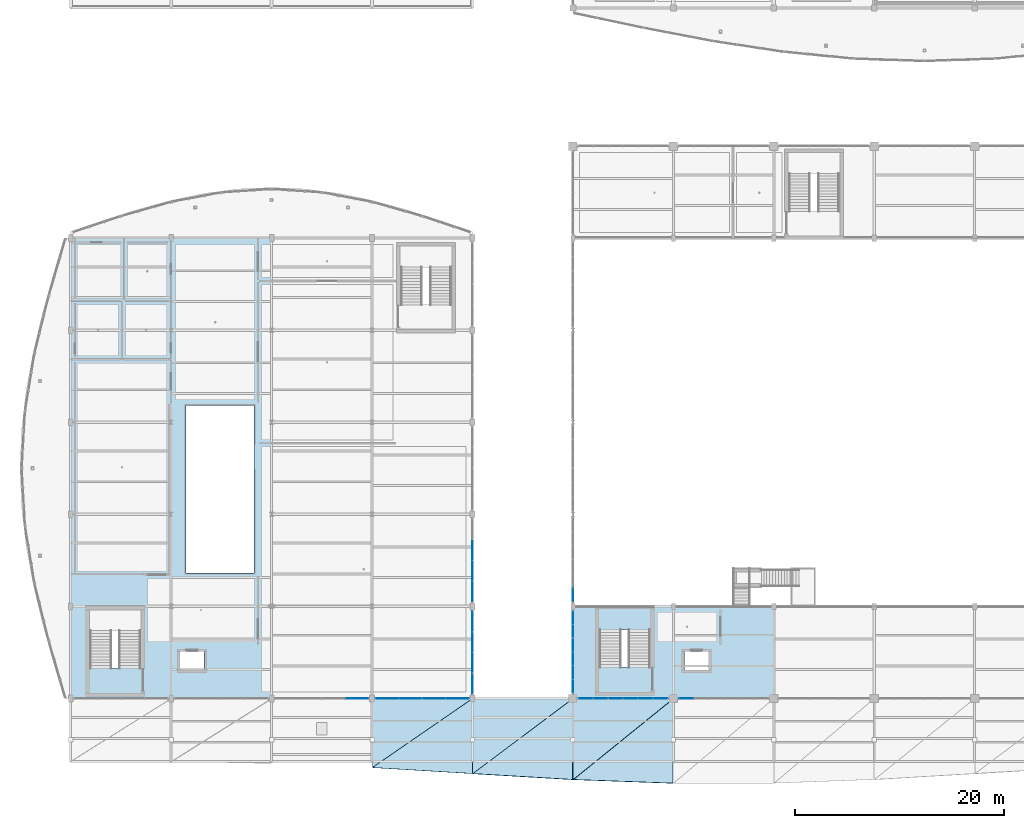
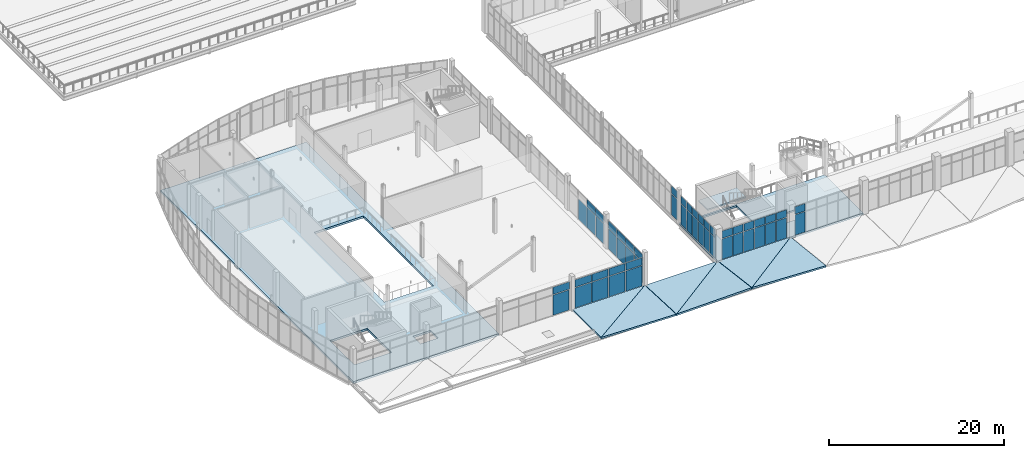
# One storey, part 115 of 157: 51 plates, 9 slabs, 9 elements without a shape of their own.
"""IFC4 building model written with IfcOpenShell, lengths in metres."""

from ifc_helpers import new_model, si_unit, direction, frame, origin, origin_2d, place, context, subcontext, project, spatial, polyline, rectangle, outline, extrude, material, layer, layer_set, type_object, element, aggregate, save


model = new_model("IFC4")

# Units and contexts
model_context = context("Model", 3, precision=1e-05, world=origin(), true_north=direction((0.0, 1.0)))
body_context = subcontext(model_context, "Body", "Model", "MODEL_VIEW")
ifc_project = project(units=[si_unit("LENGTHUNIT", "METRE"), si_unit("AREAUNIT", "SQUARE_METRE"), si_unit("VOLUMEUNIT", "CUBIC_METRE"), si_unit("PLANEANGLEUNIT", "RADIAN"), si_unit("MASSUNIT", "GRAM", prefix="KILO")], contexts=[model_context])

# Site, building, storey
site_placement = place(None, origin())
site = spatial("IfcSite", under=ifc_project, at=site_placement, CompositionType="ELEMENT")
building_placement = place(site_placement, origin())
building = spatial("IfcBuilding", under=site, at=building_placement, Name="Chalmorin Arch Market", CompositionType="ELEMENT")
storey_placement = place(building_placement, frame((0.0, 0.0, 4.800048828125)))
storey = spatial("IfcBuildingStorey", under=building, at=storey_placement, Name="L01", CompositionType="ELEMENT", Elevation=4.800048828125)

# Slabs
ifc_material_1 = material(Name="Concrete C40/50", Category="concrete")
ifc_layer_1 = layer(ifc_material_1, 0.219970703125)
ifc_layer_set_1 = layer_set([ifc_layer_1], Name="Concrete C40/50")
slab_type_1 = type_object("IfcSlabType", Name="ColonnadeCanopySlab-220", PredefinedType="ROOF", material=ifc_layer_set_1)
slab_1_placement = place(storey_placement, frame((28.820068359375, -0.60888671875, 0.113037109375), z_axis=(-0.022822942255, 0.044179192761, 0.998762890897), x_axis=(0.99787127155, -0.060039960052, 0.025458370158)))
element("IfcSlab", 1, at=slab_1_placement, inside=storey, type_object=slab_type_1, Name="RS-220-065", PredefinedType="ROOF", context=body_context, shape_type="SweptSolid", body=[
    extrude(outline(polyline([(0.0, 0.0), (9.580208114690938, -5.377642775528102e-17), (9.142010470100209, 7.157666971305492), (0.0, 0.0)])), origin(), (0.0, 0.0, -1.0), 0.219970703125),
])
slab_2_placement = place(storey_placement, frame((28.820068359375, -0.60888671875, 0.113037109375), z_axis=(0.0, 0.011078318194, 0.99993863355), x_axis=(0.823361851851, 0.567481922971, -0.006287131131)))
element("IfcSlab", 2, at=slab_2_placement, inside=storey, type_object=slab_type_1, Name="RS-220-066", PredefinedType="ROOF", context=body_context, shape_type="SweptSolid", body=[
    extrude(outline(polyline([(0.0, 0.0), (11.610708501531652, -5.431852884152377e-16), (3.739521970053256, 5.42535482386643), (0.0, 0.0)])), origin(), (0.0, 0.0, -1.0), 0.219970703125),
])
slab_3_placement = place(storey_placement, frame((38.419921875, -1.18603515625, 0.35986328125), z_axis=(-0.06160753321, 0.126376942931, 0.990067361419), x_axis=(0.995846148856, -0.05884845979, 0.069478821152)))
element("IfcSlab", 3, at=slab_3_placement, inside=storey, type_object=slab_type_1, Name="RS-220-067", PredefinedType="ROOF", context=body_context, shape_type="SweptSolid", body=[
    extrude(outline(polyline([(0.0, 0.0), (9.599935295959812, 8.326672684688674e-17), (9.076417541368969, 7.7760807865727655), (0.0, 0.0)])), origin(), (0.0, 0.0, -1.0), 0.219970703125),
])
slab_4_placement = place(storey_placement, frame((38.419921875, -1.18603515625, 0.35986328125), z_axis=(0.0, 0.044586305955, 0.999005536181), x_axis=(0.799875278569, 0.599569415613, -0.026759196459)))
element("IfcSlab", 4, at=slab_4_placement, inside=storey, type_object=slab_type_1, Name="RS-220-068", PredefinedType="ROOF", context=body_context, shape_type="SweptSolid", body=[
    extrude(outline(polyline([(0.0, 0.0), (11.9519365704716, 2.1337098754514727e-16), (4.305082039655847, 5.737624604352906), (0.0, 0.0)])), origin(), (0.0, 0.0, -1.0), 0.219970703125),
])
slab_5_placement = place(storey_placement, frame((48.02001953125, -1.7529296875, 1.029052734375), z_axis=(0.012696012514, 0.111394476768, 0.993695165436), x_axis=(0.999296239927, -0.036493018619, -0.00867666177)))
element("IfcSlab", 5, at=slab_5_placement, inside=storey, type_object=slab_type_1, Name="RS-220-069", PredefinedType="ROOF", context=body_context, shape_type="SweptSolid", body=[
    extrude(outline(polyline([(0.0, 0.0), (9.566791319505747, 5.898059818321144e-17), (9.279714709020562, 8.127586527556057), (0.0, 0.0)])), origin(), (0.0, 0.0, -1.0), 0.219970703125),
])
slab_6_placement = place(storey_placement, frame((48.02001953125, -1.7529296875, 1.029052734375), z_axis=(0.0, 0.126863318847, 0.991920207643), x_axis=(0.774987928916, 0.62686980082, -0.080174577354)))
element("IfcSlab", 6, at=slab_6_placement, inside=storey, type_object=slab_type_1, Name="RS-220-070", PredefinedType="ROOF", context=body_context, shape_type="SweptSolid", body=[
    extrude(outline(polyline([(0.0, 0.0), (12.33575161243624, -4.163336342344337e-17), (4.926821602545801, 6.041727933669149), (0.0, 0.0)])), origin(), (0.0, 0.0, -1.0), 0.219970703125),
])
ifc_layer_2 = layer(ifc_material_1, 0.25)
ifc_layer_set_2 = layer_set([ifc_layer_2], Name="Concrete C40/50")
slab_type_2 = type_object("IfcSlabType", Name="MezzanineDeckSlab-250", PredefinedType="FLOOR", material=ifc_layer_set_2)
slab_7_placement = place(storey_placement, frame((0.0, 0.0, -0.25)))
element("IfcSlab", 7, at=slab_7_placement, inside=storey, type_object=slab_type_2, Name="FS-250-085", PredefinedType="FLOOR", context=body_context, shape_type="SweptSolid", body=[
    extrude(outline(polyline([(48.010009765625, 6.010009765625), (67.18994140625, 6.010009765625), (67.18994140625, 14.800048828125), (48.010009765625, 14.800048828125), (48.010009765625, 6.010009765625)]), holes=[polyline([(50.5, 9.0), (55.39990234375, 9.0), (55.39990234375, 14.550048828125), (50.5, 14.550048828125), (50.5, 9.0)]), polyline([(58.64990234375, 8.72509765625), (60.949951171875, 8.72509765625), (60.949951171875, 10.47509765625), (58.64990234375, 10.47509765625), (58.64990234375, 8.72509765625)])]), origin(), (0.0, 0.0, 1.0), 0.25),
])

# Curtain wall, plates
ifc_material_2 = material(Name="Aluminium 6063-T6", Category="aluminium")
ifc_layer_3 = layer(ifc_material_2, 0.159912109375)
ifc_layer_set_3 = layer_set([ifc_layer_3], Name="Aluminium 6063-T6")
curtain_wall_type_1 = type_object("IfcCurtainWallType", Name="GableTympanumCurtainWall-CW4-7880x4100", PredefinedType="NOTDEFINED", material=ifc_layer_set_3)
curtain_wall_1_placement = place(storey_placement, origin())
curtain_wall_1 = element("IfcCurtainWall", 8, at=curtain_wall_1_placement, inside=storey, type_object=curtain_wall_type_1, Name="CW-04-026", PredefinedType="NOTDEFINED")
ifc_material_3 = material(Name="Powder-coated Aluminium Panel", Category="aluminium")
ifc_layer_4 = layer(ifc_material_3, 0.0400390625)
ifc_layer_set_4 = layer_set([ifc_layer_4], Name="Powder-coated Aluminium Panel")
plate_type_1 = type_object("IfcPlateType", Name="ShadowboxSpandrelPanel-40", PredefinedType="CURTAIN_PANEL", material=ifc_layer_set_4)
plate_1_placement = place(storey_placement, frame((48.0, 7.166748046875, 2.994140625), z_axis=(0.0, 0.0, 1.0), x_axis=(0.0, 1.0, 0.0)))
plate_1 = element("IfcPlate", 9, at=plate_1_placement, type_object=plate_type_1, Name="SP-40-026-01B", PredefinedType="CURTAIN_PANEL", context=body_context, shape_type="SweptSolid", body=[
    extrude(rectangle(XDim=1.2333984375, YDim=0.0400390625, at=origin_2d()), origin(), (0.0, 0.0, 1.0), 1.031982421875),
])
plate_2_placement = place(storey_placement, frame((48.0, 8.47998046875, 2.994140625), z_axis=(0.0, 0.0, 1.0), x_axis=(0.0, 1.0, 0.0)))
plate_2 = element("IfcPlate", 10, at=plate_2_placement, type_object=plate_type_1, Name="SP-40-026-02B", PredefinedType="CURTAIN_PANEL", context=body_context, shape_type="SweptSolid", body=[
    extrude(rectangle(XDim=1.2333984375, YDim=0.0400390625, at=origin_2d()), origin(), (0.0, 0.0, 1.0), 1.031982421875),
])
plate_3_placement = place(storey_placement, frame((48.0, 9.793212890625, 2.994140625), z_axis=(0.0, 0.0, 1.0), x_axis=(0.0, 1.0, 0.0)))
plate_3 = element("IfcPlate", 11, at=plate_3_placement, type_object=plate_type_1, Name="SP-40-026-03B", PredefinedType="CURTAIN_PANEL", context=body_context, shape_type="SweptSolid", body=[
    extrude(rectangle(XDim=1.2333984375, YDim=0.0400390625, at=origin_2d()), origin(), (0.0, 0.0, 1.0), 1.031982421875),
])
plate_4_placement = place(storey_placement, frame((48.0, 11.106689453125, 2.994140625), z_axis=(0.0, 0.0, 1.0), x_axis=(0.0, 1.0, 0.0)))
plate_4 = element("IfcPlate", 12, at=plate_4_placement, type_object=plate_type_1, Name="SP-40-026-04B", PredefinedType="CURTAIN_PANEL", context=body_context, shape_type="SweptSolid", body=[
    extrude(rectangle(XDim=1.2333984375, YDim=0.0400390625, at=origin_2d()), origin(), (0.0, 0.0, 1.0), 1.031982421875),
])
plate_5_placement = place(storey_placement, frame((48.0, 12.419921875, 2.994140625), z_axis=(0.0, 0.0, 1.0), x_axis=(0.0, 1.0, 0.0)))
plate_5 = element("IfcPlate", 13, at=plate_5_placement, type_object=plate_type_1, Name="SP-40-026-05B", PredefinedType="CURTAIN_PANEL", context=body_context, shape_type="SweptSolid", body=[
    extrude(rectangle(XDim=1.2333984375, YDim=0.0400390625, at=origin_2d()), origin(), (0.0, 0.0, 1.0), 1.031982421875),
])
plate_6_placement = place(storey_placement, frame((48.0, 13.7333984375, 2.994140625), z_axis=(0.0, 0.0, 1.0), x_axis=(0.0, 1.0, 0.0)))
plate_6 = element("IfcPlate", 14, at=plate_6_placement, type_object=plate_type_1, Name="SP-40-026-06B", PredefinedType="CURTAIN_PANEL", context=body_context, shape_type="SweptSolid", body=[
    extrude(rectangle(XDim=1.2333984375, YDim=0.0400390625, at=origin_2d()), origin(), (0.0, 0.0, 1.0), 1.031982421875),
])

# Curtain wall, plate
ifc_layer_5 = layer(ifc_material_2, 0.159912109375)
ifc_layer_set_5 = layer_set([ifc_layer_5], Name="Aluminium 6063-T6")
curtain_wall_type_2 = type_object("IfcCurtainWallType", Name="GableTympanumCurtainWall-CW4-8100x4200", PredefinedType="NOTDEFINED", material=ifc_layer_set_5)
curtain_wall_2_placement = place(storey_placement, origin())
curtain_wall_2 = element("IfcCurtainWall", 15, at=curtain_wall_2_placement, inside=storey, type_object=curtain_wall_type_2, Name="CW-04-028", PredefinedType="NOTDEFINED")
plate_7_placement = place(storey_placement, frame((48.0, 15.88525390625, 3.06884765625), z_axis=(0.0, 0.0, 1.0), x_axis=(0.0, 1.0, 0.0)))
plate_7 = element("IfcPlate", 16, at=plate_7_placement, type_object=plate_type_1, Name="SP-40-028-01B", PredefinedType="CURTAIN_PANEL", context=body_context, shape_type="SweptSolid", body=[
    extrude(rectangle(XDim=1.270263671875, YDim=0.0400390625, at=origin_2d()), origin(), (0.0, 0.0, 1.0), 1.06103515625),
])

ifc_layer_6 = layer(ifc_material_2, 0.159912109375)
ifc_layer_set_6 = layer_set([ifc_layer_6], Name="Aluminium 6063-T6")
curtain_wall_type_3 = type_object("IfcCurtainWallType", Name="RiverfrontStorefrontCurtainWall-CW2-8930x4070", PredefinedType="NOTDEFINED", material=ifc_layer_set_6)
curtain_wall_3_placement = place(storey_placement, origin())
curtain_wall_3 = element("IfcCurtainWall", 17, at=curtain_wall_3_placement, inside=storey, type_object=curtain_wall_type_3, Name="CW-02-096", PredefinedType="NOTDEFINED")
plate_8_placement = place(storey_placement, frame((27.3486328125, 6.0, 2.972412109375), z_axis=(0.0, 0.0, 1.0), x_axis=(1.0, 0.0, 0.0)))
plate_8 = element("IfcPlate", 18, at=plate_8_placement, type_object=plate_type_1, Name="SP-40-096-04B", PredefinedType="CURTAIN_PANEL", context=body_context, shape_type="SweptSolid", body=[
    extrude(rectangle(XDim=2.152587890625, YDim=0.0400390625, at=origin_2d()), origin(), (0.0, 0.0, 1.0), 1.0234375),
])

# Curtain wall, plates
curtain_wall_4_placement = place(storey_placement, origin())
curtain_wall_4 = element("IfcCurtainWall", 19, at=curtain_wall_4_placement, inside=storey, type_object=curtain_wall_type_3, Name="CW-02-097", PredefinedType="NOTDEFINED")
plate_9_placement = place(storey_placement, frame((30.251220703125, 6.0, 2.972412109375), z_axis=(0.0, 0.0, 1.0), x_axis=(1.0, 0.0, 0.0)))
plate_9 = element("IfcPlate", 20, at=plate_9_placement, type_object=plate_type_1, Name="SP-40-097-01B", PredefinedType="CURTAIN_PANEL", context=body_context, shape_type="SweptSolid", body=[
    extrude(rectangle(XDim=2.152587890625, YDim=0.0400390625, at=origin_2d()), origin(), (0.0, 0.0, 1.0), 1.0234375),
])
plate_10_placement = place(storey_placement, frame((32.48388671875, 6.0, 2.972412109375), z_axis=(0.0, 0.0, 1.0), x_axis=(1.0, 0.0, 0.0)))
plate_10 = element("IfcPlate", 21, at=plate_10_placement, type_object=plate_type_1, Name="SP-40-097-02B", PredefinedType="CURTAIN_PANEL", context=body_context, shape_type="SweptSolid", body=[
    extrude(rectangle(XDim=2.152587890625, YDim=0.0400390625, at=origin_2d()), origin(), (0.0, 0.0, 1.0), 1.0234375),
])
plate_11_placement = place(storey_placement, frame((34.71630859375, 6.0, 2.972412109375), z_axis=(0.0, 0.0, 1.0), x_axis=(1.0, 0.0, 0.0)))
plate_11 = element("IfcPlate", 22, at=plate_11_placement, type_object=plate_type_1, Name="SP-40-097-03B", PredefinedType="CURTAIN_PANEL", context=body_context, shape_type="SweptSolid", body=[
    extrude(rectangle(XDim=2.152587890625, YDim=0.0400390625, at=origin_2d()), origin(), (0.0, 0.0, 1.0), 1.0234375),
])
plate_12_placement = place(storey_placement, frame((36.94873046875, 6.0, 2.972412109375), z_axis=(0.0, 0.0, 1.0), x_axis=(1.0, 0.0, 0.0)))
plate_12 = element("IfcPlate", 23, at=plate_12_placement, type_object=plate_type_1, Name="SP-40-097-04B", PredefinedType="CURTAIN_PANEL", context=body_context, shape_type="SweptSolid", body=[
    extrude(rectangle(XDim=2.152587890625, YDim=0.0400390625, at=origin_2d()), origin(), (0.0, 0.0, 1.0), 1.0234375),
])

ifc_layer_7 = layer(ifc_material_2, 0.159912109375)
ifc_layer_set_7 = layer_set([ifc_layer_7], Name="Aluminium 6063-T6")
curtain_wall_type_4 = type_object("IfcCurtainWallType", Name="RiverfrontStorefrontCurtainWall-CW2-7930x4070", PredefinedType="NOTDEFINED", material=ifc_layer_set_7)
curtain_wall_5_placement = place(storey_placement, origin())
curtain_wall_5 = element("IfcCurtainWall", 24, at=curtain_wall_5_placement, inside=storey, type_object=curtain_wall_type_4, Name="CW-02-098", PredefinedType="NOTDEFINED")
plate_13_placement = place(storey_placement, frame((38.39990234375, 7.42626953125, 2.972412109375), z_axis=(0.0, 0.0, 1.0), x_axis=(0.0, 1.0, 0.0)))
plate_13 = element("IfcPlate", 25, at=plate_13_placement, type_object=plate_type_1, Name="SP-40-098-01B", PredefinedType="CURTAIN_PANEL", context=body_context, shape_type="SweptSolid", body=[
    extrude(rectangle(XDim=1.902587890625, YDim=0.0400390625, at=origin_2d()), origin(), (0.0, 0.0, 1.0), 1.0234375),
])
plate_14_placement = place(storey_placement, frame((38.39990234375, 9.40869140625, 2.972412109375), z_axis=(0.0, 0.0, 1.0), x_axis=(0.0, 1.0, 0.0)))
plate_14 = element("IfcPlate", 26, at=plate_14_placement, type_object=plate_type_1, Name="SP-40-098-02B", PredefinedType="CURTAIN_PANEL", context=body_context, shape_type="SweptSolid", body=[
    extrude(rectangle(XDim=1.902587890625, YDim=0.0400390625, at=origin_2d()), origin(), (0.0, 0.0, 1.0), 1.0234375),
])
plate_15_placement = place(storey_placement, frame((38.39990234375, 11.39111328125, 2.972412109375), z_axis=(0.0, 0.0, 1.0), x_axis=(0.0, 1.0, 0.0)))
plate_15 = element("IfcPlate", 27, at=plate_15_placement, type_object=plate_type_1, Name="SP-40-098-03B", PredefinedType="CURTAIN_PANEL", context=body_context, shape_type="SweptSolid", body=[
    extrude(rectangle(XDim=1.902587890625, YDim=0.0400390625, at=origin_2d()), origin(), (0.0, 0.0, 1.0), 1.0234375),
])
plate_16_placement = place(storey_placement, frame((38.39990234375, 13.373779296875, 2.972412109375), z_axis=(0.0, 0.0, 1.0), x_axis=(0.0, 1.0, 0.0)))
plate_16 = element("IfcPlate", 28, at=plate_16_placement, type_object=plate_type_1, Name="SP-40-098-04B", PredefinedType="CURTAIN_PANEL", context=body_context, shape_type="SweptSolid", body=[
    extrude(rectangle(XDim=1.902587890625, YDim=0.0400390625, at=origin_2d()), origin(), (0.0, 0.0, 1.0), 1.0234375),
])

curtain_wall_6_placement = place(storey_placement, origin())
curtain_wall_6 = element("IfcCurtainWall", 29, at=curtain_wall_6_placement, inside=storey, type_object=curtain_wall_type_4, Name="CW-02-099", PredefinedType="NOTDEFINED")
plate_17_placement = place(storey_placement, frame((38.39990234375, 16.226318359375, 2.972412109375), z_axis=(0.0, 0.0, 1.0), x_axis=(0.0, 1.0, 0.0)))
plate_17 = element("IfcPlate", 30, at=plate_17_placement, type_object=plate_type_1, Name="SP-40-099-01B", PredefinedType="CURTAIN_PANEL", context=body_context, shape_type="SweptSolid", body=[
    extrude(rectangle(XDim=1.902587890625, YDim=0.0400390625, at=origin_2d()), origin(), (0.0, 0.0, 1.0), 1.0234375),
])
plate_18_placement = place(storey_placement, frame((38.39990234375, 18.208740234375, 2.972412109375), z_axis=(0.0, 0.0, 1.0), x_axis=(0.0, 1.0, 0.0)))
plate_18 = element("IfcPlate", 31, at=plate_18_placement, type_object=plate_type_1, Name="SP-40-099-02B", PredefinedType="CURTAIN_PANEL", context=body_context, shape_type="SweptSolid", body=[
    extrude(rectangle(XDim=1.902587890625, YDim=0.0400390625, at=origin_2d()), origin(), (0.0, 0.0, 1.0), 1.0234375),
])

# Stair, slab
stair_type = type_object("IfcStairType", Name="DoglegExitStair-28R-SC3", PredefinedType="HALF_TURN_STAIR", material=ifc_material_1)
stair_placement = place(storey_placement, origin())
stair = element("IfcStair", 32, at=stair_placement, inside=storey, type_object=stair_type, Name="ST-07", PredefinedType="HALF_TURN_STAIR")
ifc_layer_8 = layer(ifc_material_1, 0.205078125)
ifc_layer_set_8 = layer_set([ifc_layer_8], Name="Concrete C40/50")
slab_type_3 = type_object("IfcSlabType", Name="StairLandingSlab-205", PredefinedType="LANDING", material=ifc_layer_set_8)
slab_8_placement = place(storey_placement, frame((0.0, 0.0, 2.195068359375)))
slab_8 = element("IfcSlab", 33, at=slab_8_placement, type_object=slab_type_3, Name="LS-007", PredefinedType="LANDING", context=body_context, shape_type="SweptSolid", body=[
    extrude(outline(polyline([(50.419921875, 12.56005859375), (55.47998046875, 12.56005859375), (55.47998046875, 14.6298828125), (50.419921875, 14.6298828125), (50.419921875, 12.56005859375)])), origin(), (0.0, 0.0, 1.0), 0.204833984375),
])
aggregate(stair, [slab_8])

# Slab
ifc_layer_9 = layer(ifc_material_1, 0.280029296875)
ifc_layer_set_9 = layer_set([ifc_layer_9], Name="Concrete C40/50")
slab_type_4 = type_object("IfcSlabType", Name="SuspendedFloorSlab-280", PredefinedType="FLOOR", material=ifc_layer_set_9)
slab_9_placement = place(storey_placement, frame((0.0, 0.0, -0.280029296875)))
element("IfcSlab", 34, at=slab_9_placement, inside=storey, type_object=slab_type_4, Name="FS-280-096", PredefinedType="FLOOR", context=body_context, shape_type="SweptSolid", body=[
    extrude(outline(polyline([(0.010009765625, 6.010009765625), (19.18994140625, 6.010009765625), (19.18994140625, 50.0), (0.010009765625, 50.0), (0.010009765625, 6.010009765625)]), holes=[polyline([(1.800048828125, 8.89990234375), (6.699951171875, 8.89990234375), (6.699951171875, 14.449951171875), (1.800048828125, 14.449951171875), (1.800048828125, 8.89990234375)]), polyline([(10.449951171875, 8.72509765625), (12.75, 8.72509765625), (12.75, 10.47509765625), (10.449951171875, 10.47509765625), (10.449951171875, 8.72509765625)]), polyline([(11.0, 18.0), (17.5, 18.0), (17.5, 34.0), (11.0, 34.0), (11.0, 18.0)])]), origin(), (0.0, 0.0, 1.0), 0.280029296875),
])

# Curtain wall, plates
ifc_layer_10 = layer(ifc_material_2, 0.159912109375)
ifc_layer_set_10 = layer_set([ifc_layer_10], Name="Aluminium 6063-T6")
curtain_wall_type_5 = type_object("IfcCurtainWallType", Name="MarketClerestoryCurtainWall-CW1-8580x4100", PredefinedType="NOTDEFINED", material=ifc_layer_set_10)
curtain_wall_7_placement = place(storey_placement, origin())
curtain_wall_7 = element("IfcCurtainWall", 35, at=curtain_wall_7_placement, inside=storey, type_object=curtain_wall_type_5, Name="CW-01-001", PredefinedType="NOTDEFINED")
ifc_material_4 = material(Name="Architectural Terracotta", Category="masonry")
ifc_layer_11 = layer(ifc_material_4, 0.044921875)
ifc_layer_set_11 = layer_set([ifc_layer_11], Name="Architectural Terracotta")
plate_type_2 = type_object("IfcPlateType", Name="TerracottaSpandrelPanel-45", PredefinedType="CURTAIN_PANEL", material=ifc_layer_set_11)
plate_19_placement = place(storey_placement, frame((49.22509765625, 6.0, 2.994140625), z_axis=(0.0, 0.0, 1.0), x_axis=(1.0, 0.0, 0.0)))
plate_19 = element("IfcPlate", 36, at=plate_19_placement, type_object=plate_type_2, Name="SP-45-001-01B", PredefinedType="CURTAIN_PANEL", context=body_context, shape_type="SweptSolid", body=[
    extrude(rectangle(XDim=1.35009765625, YDim=0.044921875, at=origin_2d()), origin(), (0.0, 0.0, 1.0), 1.031982421875),
])
plate_20_placement = place(storey_placement, frame((50.655029296875, 6.0, 2.994140625), z_axis=(0.0, 0.0, 1.0), x_axis=(1.0, 0.0, 0.0)))
plate_20 = element("IfcPlate", 37, at=plate_20_placement, type_object=plate_type_2, Name="SP-45-001-02B", PredefinedType="CURTAIN_PANEL", context=body_context, shape_type="SweptSolid", body=[
    extrude(rectangle(XDim=1.35009765625, YDim=0.044921875, at=origin_2d()), origin(), (0.0, 0.0, 1.0), 1.031982421875),
])
plate_21_placement = place(storey_placement, frame((52.0849609375, 6.0, 2.994140625), z_axis=(0.0, 0.0, 1.0), x_axis=(1.0, 0.0, 0.0)))
plate_21 = element("IfcPlate", 38, at=plate_21_placement, type_object=plate_type_2, Name="SP-45-001-03B", PredefinedType="CURTAIN_PANEL", context=body_context, shape_type="SweptSolid", body=[
    extrude(rectangle(XDim=1.35009765625, YDim=0.044921875, at=origin_2d()), origin(), (0.0, 0.0, 1.0), 1.031982421875),
])
plate_22_placement = place(storey_placement, frame((53.514892578125, 6.0, 2.994140625), z_axis=(0.0, 0.0, 1.0), x_axis=(1.0, 0.0, 0.0)))
plate_22 = element("IfcPlate", 39, at=plate_22_placement, type_object=plate_type_2, Name="SP-45-001-04B", PredefinedType="CURTAIN_PANEL", context=body_context, shape_type="SweptSolid", body=[
    extrude(rectangle(XDim=1.35009765625, YDim=0.044921875, at=origin_2d()), origin(), (0.0, 0.0, 1.0), 1.031982421875),
])
plate_23_placement = place(storey_placement, frame((54.945068359375, 6.0, 2.994140625), z_axis=(0.0, 0.0, 1.0), x_axis=(1.0, 0.0, 0.0)))
plate_23 = element("IfcPlate", 40, at=plate_23_placement, type_object=plate_type_2, Name="SP-45-001-05B", PredefinedType="CURTAIN_PANEL", context=body_context, shape_type="SweptSolid", body=[
    extrude(rectangle(XDim=1.35009765625, YDim=0.044921875, at=origin_2d()), origin(), (0.0, 0.0, 1.0), 1.031982421875),
])
plate_24_placement = place(storey_placement, frame((56.375, 6.0, 2.994140625), z_axis=(0.0, 0.0, 1.0), x_axis=(1.0, 0.0, 0.0)))
plate_24 = element("IfcPlate", 41, at=plate_24_placement, type_object=plate_type_2, Name="SP-45-001-06B", PredefinedType="CURTAIN_PANEL", context=body_context, shape_type="SweptSolid", body=[
    extrude(rectangle(XDim=1.35009765625, YDim=0.044921875, at=origin_2d()), origin(), (0.0, 0.0, 1.0), 1.031982421875),
])

# Curtain wall, plate
curtain_wall_8_placement = place(storey_placement, origin())
curtain_wall_8 = element("IfcCurtainWall", 42, at=curtain_wall_8_placement, inside=storey, type_object=curtain_wall_type_5, Name="CW-01-004", PredefinedType="NOTDEFINED")
plate_25_placement = place(storey_placement, frame((58.824951171875, 6.0, 2.994140625), z_axis=(0.0, 0.0, 1.0), x_axis=(1.0, 0.0, 0.0)))
plate_25 = element("IfcPlate", 43, at=plate_25_placement, type_object=plate_type_2, Name="SP-45-004-01B", PredefinedType="CURTAIN_PANEL", context=body_context, shape_type="SweptSolid", body=[
    extrude(rectangle(XDim=1.35009765625, YDim=0.044921875, at=origin_2d()), origin(), (0.0, 0.0, 1.0), 1.031982421875),
])

# Plate
ifc_material_5 = material(Name="Laminated Acoustic Glass", Category="glass")
ifc_layer_12 = layer(ifc_material_5, 0.031982421875)
ifc_layer_set_12 = layer_set([ifc_layer_12], Name="Laminated Acoustic Glass")
plate_type_3 = type_object("IfcPlateType", Name="TintedClerestoryGlass-32", PredefinedType="CURTAIN_PANEL", material=ifc_layer_set_12)
plate_26_placement = place(storey_placement, frame((49.22509765625, 6.0, 0.070068359375), z_axis=(0.0, 0.0, 1.0), x_axis=(1.0, 0.0, 0.0)))
plate_26 = element("IfcPlate", 44, at=plate_26_placement, type_object=plate_type_3, Name="GL-32-001-01A", PredefinedType="CURTAIN_PANEL", context=body_context, shape_type="SweptSolid", body=[
    extrude(rectangle(XDim=1.35009765625, YDim=0.031982421875, at=origin_2d()), origin(), (0.0, 0.0, 1.0), 2.833984375),
])

plate_27_placement = place(storey_placement, frame((50.655029296875, 6.0, 0.070068359375), z_axis=(0.0, 0.0, 1.0), x_axis=(1.0, 0.0, 0.0)))
plate_27 = element("IfcPlate", 45, at=plate_27_placement, type_object=plate_type_3, Name="GL-32-001-02A", PredefinedType="CURTAIN_PANEL", context=body_context, shape_type="SweptSolid", body=[
    extrude(rectangle(XDim=1.35009765625, YDim=0.031982421875, at=origin_2d()), origin(), (0.0, 0.0, 1.0), 2.833984375),
])

plate_28_placement = place(storey_placement, frame((52.0849609375, 6.0, 0.070068359375), z_axis=(0.0, 0.0, 1.0), x_axis=(1.0, 0.0, 0.0)))
plate_28 = element("IfcPlate", 46, at=plate_28_placement, type_object=plate_type_3, Name="GL-32-001-03A", PredefinedType="CURTAIN_PANEL", context=body_context, shape_type="SweptSolid", body=[
    extrude(rectangle(XDim=1.35009765625, YDim=0.031982421875, at=origin_2d()), origin(), (0.0, 0.0, 1.0), 2.833984375),
])

plate_29_placement = place(storey_placement, frame((53.514892578125, 6.0, 0.070068359375), z_axis=(0.0, 0.0, 1.0), x_axis=(1.0, 0.0, 0.0)))
plate_29 = element("IfcPlate", 47, at=plate_29_placement, type_object=plate_type_3, Name="GL-32-001-04A", PredefinedType="CURTAIN_PANEL", context=body_context, shape_type="SweptSolid", body=[
    extrude(rectangle(XDim=1.35009765625, YDim=0.031982421875, at=origin_2d()), origin(), (0.0, 0.0, 1.0), 2.833984375),
])

plate_30_placement = place(storey_placement, frame((54.945068359375, 6.0, 0.070068359375), z_axis=(0.0, 0.0, 1.0), x_axis=(1.0, 0.0, 0.0)))
plate_30 = element("IfcPlate", 48, at=plate_30_placement, type_object=plate_type_3, Name="GL-32-001-05A", PredefinedType="CURTAIN_PANEL", context=body_context, shape_type="SweptSolid", body=[
    extrude(rectangle(XDim=1.35009765625, YDim=0.031982421875, at=origin_2d()), origin(), (0.0, 0.0, 1.0), 2.833984375),
])

plate_31_placement = place(storey_placement, frame((56.375, 6.0, 0.070068359375), z_axis=(0.0, 0.0, 1.0), x_axis=(1.0, 0.0, 0.0)))
plate_31 = element("IfcPlate", 49, at=plate_31_placement, type_object=plate_type_3, Name="GL-32-001-06A", PredefinedType="CURTAIN_PANEL", context=body_context, shape_type="SweptSolid", body=[
    extrude(rectangle(XDim=1.35009765625, YDim=0.031982421875, at=origin_2d()), origin(), (0.0, 0.0, 1.0), 2.833984375),
])

aggregate(curtain_wall_7, [plate_26, plate_19, plate_27, plate_20, plate_28, plate_21, plate_29, plate_22, plate_30, plate_23, plate_31, plate_24])

plate_32_placement = place(storey_placement, frame((58.824951171875, 6.0, 0.070068359375), z_axis=(0.0, 0.0, 1.0), x_axis=(1.0, 0.0, 0.0)))
plate_32 = element("IfcPlate", 50, at=plate_32_placement, type_object=plate_type_3, Name="GL-32-004-01A", PredefinedType="CURTAIN_PANEL", context=body_context, shape_type="SweptSolid", body=[
    extrude(rectangle(XDim=1.35009765625, YDim=0.031982421875, at=origin_2d()), origin(), (0.0, 0.0, 1.0), 2.833984375),
])

aggregate(curtain_wall_8, [plate_32, plate_25])

ifc_material_6 = material(Name="Low-E Tempered Glass", Category="glass")
ifc_layer_13 = layer(ifc_material_6, 0.028076171875)
ifc_layer_set_13 = layer_set([ifc_layer_13], Name="Low-E Tempered Glass")
plate_type_4 = type_object("IfcPlateType", Name="VisionIGUPanel-28", PredefinedType="CURTAIN_PANEL", material=ifc_layer_set_13)
plate_33_placement = place(storey_placement, frame((48.0, 7.166748046875, 0.070068359375), z_axis=(0.0, 0.0, 1.0), x_axis=(0.0, 1.0, 0.0)))
plate_33 = element("IfcPlate", 51, at=plate_33_placement, type_object=plate_type_4, Name="GL-28-026-01A", PredefinedType="CURTAIN_PANEL", context=body_context, shape_type="SweptSolid", body=[
    extrude(rectangle(XDim=1.2333984375, YDim=0.028076171875, at=origin_2d()), origin(), (0.0, 0.0, 1.0), 2.833984375),
])

plate_34_placement = place(storey_placement, frame((48.0, 8.47998046875, 0.070068359375), z_axis=(0.0, 0.0, 1.0), x_axis=(0.0, 1.0, 0.0)))
plate_34 = element("IfcPlate", 52, at=plate_34_placement, type_object=plate_type_4, Name="GL-28-026-02A", PredefinedType="CURTAIN_PANEL", context=body_context, shape_type="SweptSolid", body=[
    extrude(rectangle(XDim=1.2333984375, YDim=0.028076171875, at=origin_2d()), origin(), (0.0, 0.0, 1.0), 2.833984375),
])

plate_35_placement = place(storey_placement, frame((48.0, 9.793212890625, 0.070068359375), z_axis=(0.0, 0.0, 1.0), x_axis=(0.0, 1.0, 0.0)))
plate_35 = element("IfcPlate", 53, at=plate_35_placement, type_object=plate_type_4, Name="GL-28-026-03A", PredefinedType="CURTAIN_PANEL", context=body_context, shape_type="SweptSolid", body=[
    extrude(rectangle(XDim=1.2333984375, YDim=0.028076171875, at=origin_2d()), origin(), (0.0, 0.0, 1.0), 2.833984375),
])

plate_36_placement = place(storey_placement, frame((48.0, 11.106689453125, 0.070068359375), z_axis=(0.0, 0.0, 1.0), x_axis=(0.0, 1.0, 0.0)))
plate_36 = element("IfcPlate", 54, at=plate_36_placement, type_object=plate_type_4, Name="GL-28-026-04A", PredefinedType="CURTAIN_PANEL", context=body_context, shape_type="SweptSolid", body=[
    extrude(rectangle(XDim=1.2333984375, YDim=0.028076171875, at=origin_2d()), origin(), (0.0, 0.0, 1.0), 2.833984375),
])

plate_37_placement = place(storey_placement, frame((48.0, 12.419921875, 0.070068359375), z_axis=(0.0, 0.0, 1.0), x_axis=(0.0, 1.0, 0.0)))
plate_37 = element("IfcPlate", 55, at=plate_37_placement, type_object=plate_type_4, Name="GL-28-026-05A", PredefinedType="CURTAIN_PANEL", context=body_context, shape_type="SweptSolid", body=[
    extrude(rectangle(XDim=1.2333984375, YDim=0.028076171875, at=origin_2d()), origin(), (0.0, 0.0, 1.0), 2.833984375),
])

plate_38_placement = place(storey_placement, frame((48.0, 13.7333984375, 0.070068359375), z_axis=(0.0, 0.0, 1.0), x_axis=(0.0, 1.0, 0.0)))
plate_38 = element("IfcPlate", 56, at=plate_38_placement, type_object=plate_type_4, Name="GL-28-026-06A", PredefinedType="CURTAIN_PANEL", context=body_context, shape_type="SweptSolid", body=[
    extrude(rectangle(XDim=1.2333984375, YDim=0.028076171875, at=origin_2d()), origin(), (0.0, 0.0, 1.0), 2.833984375),
])

aggregate(curtain_wall_1, [plate_33, plate_1, plate_34, plate_2, plate_35, plate_3, plate_36, plate_4, plate_37, plate_5, plate_38, plate_6])

plate_39_placement = place(storey_placement, frame((48.0, 15.88525390625, 0.06982421875), z_axis=(0.0, 0.0, 1.0), x_axis=(0.0, 1.0, 0.0)))
plate_39 = element("IfcPlate", 57, at=plate_39_placement, type_object=plate_type_4, Name="GL-28-028-01A", PredefinedType="CURTAIN_PANEL", context=body_context, shape_type="SweptSolid", body=[
    extrude(rectangle(XDim=1.270263671875, YDim=0.028076171875, at=origin_2d()), origin(), (0.0, 0.0, 1.0), 2.908935546875),
])

aggregate(curtain_wall_2, [plate_39, plate_7])

plate_40_placement = place(storey_placement, frame((27.3486328125, 6.0, 0.070068359375), z_axis=(0.0, 0.0, 1.0), x_axis=(1.0, 0.0, 0.0)))
plate_40 = element("IfcPlate", 58, at=plate_40_placement, type_object=plate_type_4, Name="GL-28-096-04A", PredefinedType="CURTAIN_PANEL", context=body_context, shape_type="SweptSolid", body=[
    extrude(rectangle(XDim=2.152587890625, YDim=0.028076171875, at=origin_2d()), origin(), (0.0, 0.0, 1.0), 2.8125),
])

aggregate(curtain_wall_3, [plate_40, plate_8])

plate_41_placement = place(storey_placement, frame((30.251220703125, 6.0, 0.070068359375), z_axis=(0.0, 0.0, 1.0), x_axis=(1.0, 0.0, 0.0)))
plate_41 = element("IfcPlate", 59, at=plate_41_placement, type_object=plate_type_4, Name="GL-28-097-01A", PredefinedType="CURTAIN_PANEL", context=body_context, shape_type="SweptSolid", body=[
    extrude(rectangle(XDim=2.152587890625, YDim=0.028076171875, at=origin_2d()), origin(), (0.0, 0.0, 1.0), 2.8125),
])

plate_42_placement = place(storey_placement, frame((32.48388671875, 6.0, 0.070068359375), z_axis=(0.0, 0.0, 1.0), x_axis=(1.0, 0.0, 0.0)))
plate_42 = element("IfcPlate", 60, at=plate_42_placement, type_object=plate_type_4, Name="GL-28-097-02A", PredefinedType="CURTAIN_PANEL", context=body_context, shape_type="SweptSolid", body=[
    extrude(rectangle(XDim=2.152587890625, YDim=0.028076171875, at=origin_2d()), origin(), (0.0, 0.0, 1.0), 2.8125),
])

plate_43_placement = place(storey_placement, frame((34.71630859375, 6.0, 0.070068359375), z_axis=(0.0, 0.0, 1.0), x_axis=(1.0, 0.0, 0.0)))
plate_43 = element("IfcPlate", 61, at=plate_43_placement, type_object=plate_type_4, Name="GL-28-097-03A", PredefinedType="CURTAIN_PANEL", context=body_context, shape_type="SweptSolid", body=[
    extrude(rectangle(XDim=2.152587890625, YDim=0.028076171875, at=origin_2d()), origin(), (0.0, 0.0, 1.0), 2.8125),
])

plate_44_placement = place(storey_placement, frame((36.94873046875, 6.0, 0.070068359375), z_axis=(0.0, 0.0, 1.0), x_axis=(1.0, 0.0, 0.0)))
plate_44 = element("IfcPlate", 62, at=plate_44_placement, type_object=plate_type_4, Name="GL-28-097-04A", PredefinedType="CURTAIN_PANEL", context=body_context, shape_type="SweptSolid", body=[
    extrude(rectangle(XDim=2.152587890625, YDim=0.028076171875, at=origin_2d()), origin(), (0.0, 0.0, 1.0), 2.8125),
])

aggregate(curtain_wall_4, [plate_41, plate_9, plate_42, plate_10, plate_43, plate_11, plate_44, plate_12])

plate_45_placement = place(storey_placement, frame((38.39990234375, 7.42626953125, 0.070068359375), z_axis=(0.0, 0.0, 1.0), x_axis=(0.0, 1.0, 0.0)))
plate_45 = element("IfcPlate", 63, at=plate_45_placement, type_object=plate_type_4, Name="GL-28-098-01A", PredefinedType="CURTAIN_PANEL", context=body_context, shape_type="SweptSolid", body=[
    extrude(rectangle(XDim=1.902587890625, YDim=0.028076171875, at=origin_2d()), origin(), (0.0, 0.0, 1.0), 2.8125),
])

plate_46_placement = place(storey_placement, frame((38.39990234375, 9.40869140625, 0.070068359375), z_axis=(0.0, 0.0, 1.0), x_axis=(0.0, 1.0, 0.0)))
plate_46 = element("IfcPlate", 64, at=plate_46_placement, type_object=plate_type_4, Name="GL-28-098-02A", PredefinedType="CURTAIN_PANEL", context=body_context, shape_type="SweptSolid", body=[
    extrude(rectangle(XDim=1.902587890625, YDim=0.028076171875, at=origin_2d()), origin(), (0.0, 0.0, 1.0), 2.8125),
])

plate_47_placement = place(storey_placement, frame((38.39990234375, 11.39111328125, 0.070068359375), z_axis=(0.0, 0.0, 1.0), x_axis=(0.0, 1.0, 0.0)))
plate_47 = element("IfcPlate", 65, at=plate_47_placement, type_object=plate_type_4, Name="GL-28-098-03A", PredefinedType="CURTAIN_PANEL", context=body_context, shape_type="SweptSolid", body=[
    extrude(rectangle(XDim=1.902587890625, YDim=0.028076171875, at=origin_2d()), origin(), (0.0, 0.0, 1.0), 2.8125),
])

plate_48_placement = place(storey_placement, frame((38.39990234375, 13.373779296875, 0.070068359375), z_axis=(0.0, 0.0, 1.0), x_axis=(0.0, 1.0, 0.0)))
plate_48 = element("IfcPlate", 66, at=plate_48_placement, type_object=plate_type_4, Name="GL-28-098-04A", PredefinedType="CURTAIN_PANEL", context=body_context, shape_type="SweptSolid", body=[
    extrude(rectangle(XDim=1.902587890625, YDim=0.028076171875, at=origin_2d()), origin(), (0.0, 0.0, 1.0), 2.8125),
])

aggregate(curtain_wall_5, [plate_45, plate_13, plate_46, plate_14, plate_47, plate_15, plate_48, plate_16])

plate_49_placement = place(storey_placement, frame((38.39990234375, 16.226318359375, 0.070068359375), z_axis=(0.0, 0.0, 1.0), x_axis=(0.0, 1.0, 0.0)))
plate_49 = element("IfcPlate", 67, at=plate_49_placement, type_object=plate_type_4, Name="GL-28-099-01A", PredefinedType="CURTAIN_PANEL", context=body_context, shape_type="SweptSolid", body=[
    extrude(rectangle(XDim=1.902587890625, YDim=0.028076171875, at=origin_2d()), origin(), (0.0, 0.0, 1.0), 2.8125),
])

plate_50_placement = place(storey_placement, frame((38.39990234375, 18.208740234375, 0.070068359375), z_axis=(0.0, 0.0, 1.0), x_axis=(0.0, 1.0, 0.0)))
plate_50 = element("IfcPlate", 68, at=plate_50_placement, type_object=plate_type_4, Name="GL-28-099-02A", PredefinedType="CURTAIN_PANEL", context=body_context, shape_type="SweptSolid", body=[
    extrude(rectangle(XDim=1.902587890625, YDim=0.028076171875, at=origin_2d()), origin(), (0.0, 0.0, 1.0), 2.8125),
])

plate_51_placement = place(storey_placement, frame((38.39990234375, 20.19140625, 0.070068359375), z_axis=(0.0, 0.0, 1.0), x_axis=(0.0, 1.0, 0.0)))
plate_51 = element("IfcPlate", 69, at=plate_51_placement, type_object=plate_type_4, Name="GL-28-099-03A", PredefinedType="CURTAIN_PANEL", context=body_context, shape_type="SweptSolid", body=[
    extrude(rectangle(XDim=1.902587890625, YDim=0.028076171875, at=origin_2d()), origin(), (0.0, 0.0, 1.0), 2.8125),
])

aggregate(curtain_wall_6, [plate_49, plate_17, plate_50, plate_18, plate_51])

save(model, "model.ifc")
